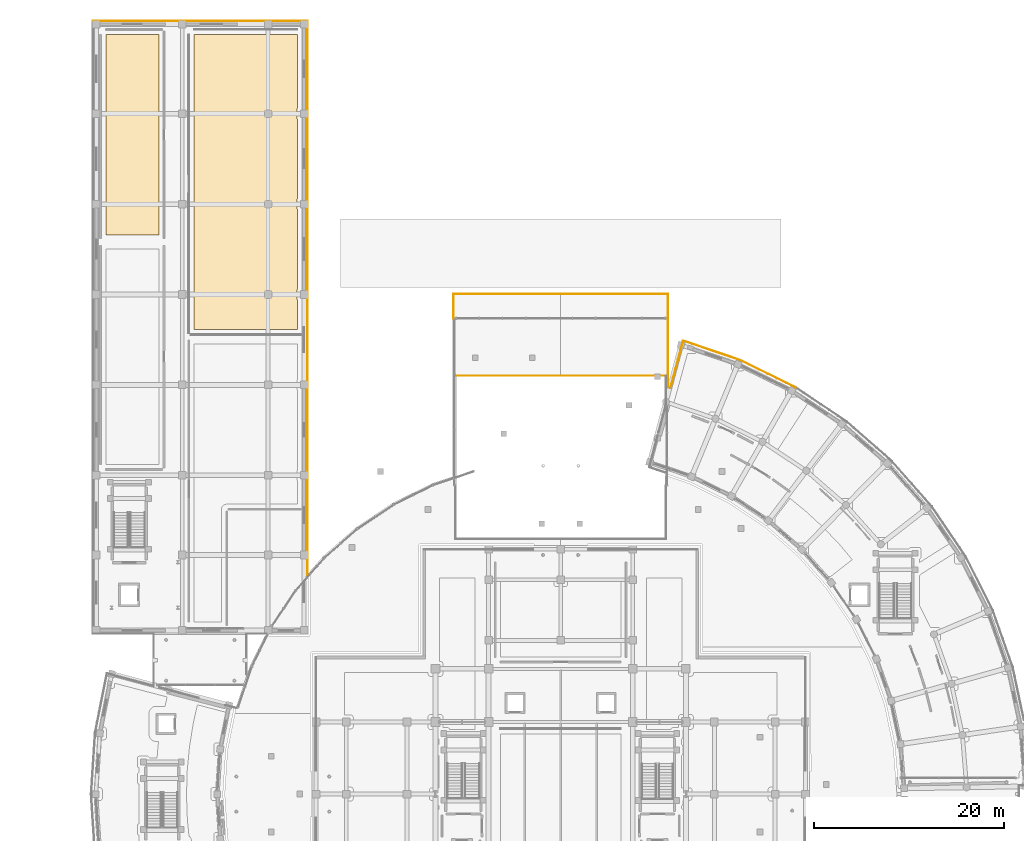
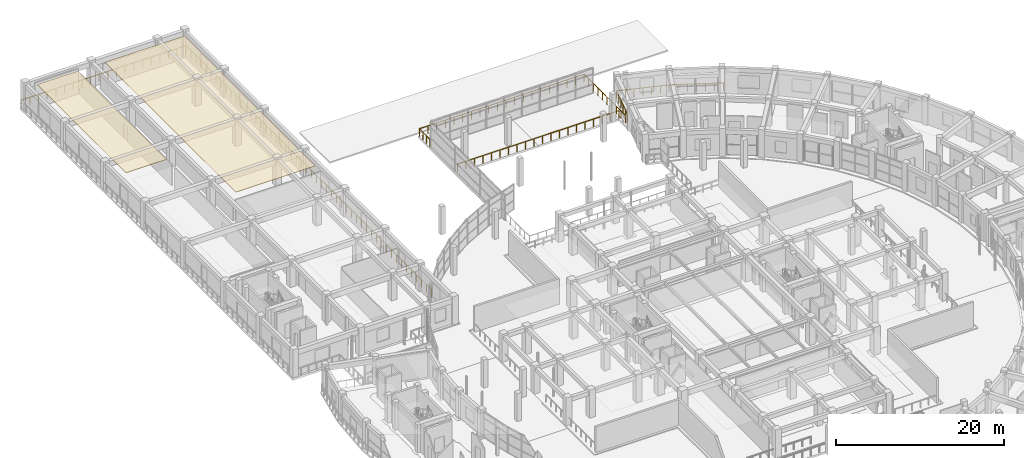
# One storey, part 87 of 87: 9 railings, 2 coverings.
"""IFC4 building model written with IfcOpenShell, lengths in metres."""

from ifc_helpers import new_model, si_unit, direction, frame, origin, origin_2d, place, context, subcontext, project, spatial, polyline, rectangle, outline, extrude, material, layer, layer_set, type_object, element, save


model = new_model("IFC4")

# Units and contexts
model_context = context("Model", 3, precision=1e-05, world=origin(), true_north=direction((0.0, 1.0)))
body_context = subcontext(model_context, "Body", "Model", "MODEL_VIEW")
ifc_project = project(units=[si_unit("LENGTHUNIT", "METRE"), si_unit("AREAUNIT", "SQUARE_METRE"), si_unit("VOLUMEUNIT", "CUBIC_METRE"), si_unit("PLANEANGLEUNIT", "RADIAN"), si_unit("MASSUNIT", "GRAM", prefix="KILO")], contexts=[model_context])

# Site, building, storey
site_placement = place(None, origin())
site = spatial("IfcSite", under=ifc_project, at=site_placement, CompositionType="ELEMENT")
building_placement = place(site_placement, origin())
building = spatial("IfcBuilding", under=site, at=building_placement, Name="Saryqyr Civic Hall", CompositionType="ELEMENT")
storey_placement = place(building_placement, frame((0.0, 0.0, 5.10009765625)))
storey = spatial("IfcBuildingStorey", under=building, at=storey_placement, Name="L01", CompositionType="ELEMENT", Elevation=5.10009765625)

# Coverings
ifc_material_1 = material(Name="Mineral-fibre acoustic ceiling tile", Category="acoustic_tile")
ifc_layer_1 = layer(ifc_material_1, 0.06005859375, Name="Mineral-fibre acoustic ceiling tile")
ifc_layer_set_1 = layer_set([ifc_layer_1], Name="Mineral-fibre acoustic ceiling tile")
covering_type = type_object("IfcCoveringType", Name="INT-COV-CEIL-60", PredefinedType="CEILING", material=ifc_layer_set_1)
covering_1_placement = place(storey_placement, frame((0.0, 0.0, 3.68994140625)))
element("IfcCovering", 1, at=covering_1_placement, inside=storey, type_object=covering_type, Name="Acoustic ceiling Periodicals & Statutory Gazette Room", PredefinedType="CEILING", context=body_context, shape_type="SweptSolid", body=[
    extrude(outline(polyline([(29.24951171875, 156.31787109375), (29.239013671875, 156.295654296875), (29.230712890625, 156.272705078125), (29.224853515625, 156.248779296875), (29.22119140625, 156.224609375), (29.219970703125, 156.199951171875), (29.219970703125, 155.239990234375), (29.22119140625, 155.215576171875), (29.224853515625, 155.191162109375), (29.230712890625, 155.16748046875), (29.239013671875, 155.144287109375), (29.24951171875, 155.122314453125), (29.25, 155.121337890625), (29.25, 146.788818359375), (29.24951171875, 146.787841796875), (29.239013671875, 146.765625), (29.230712890625, 146.74267578125), (29.224853515625, 146.71875), (29.22119140625, 146.694580078125), (29.219970703125, 146.669921875), (29.219970703125, 145.7099609375), (29.22119140625, 145.685546875), (29.224853515625, 145.6611328125), (29.230712890625, 145.637451171875), (29.239013671875, 145.6142578125), (29.24951171875, 145.59228515625), (29.25, 145.59130859375), (29.25, 137.2587890625), (29.24951171875, 137.2578125), (29.239013671875, 137.235595703125), (29.230712890625, 137.212646484375), (29.224853515625, 137.188720703125), (29.22119140625, 137.16455078125), (29.219970703125, 137.139892578125), (29.219970703125, 136.179931640625), (29.22119140625, 136.155517578125), (29.224853515625, 136.131103515625), (29.230712890625, 136.107421875), (29.239013671875, 136.084228515625), (29.24951171875, 136.062255859375), (29.25, 136.061279296875), (29.25, 132.949951171875), (18.35009765625, 132.949951171875), (18.35009765625, 164.050048828125), (29.25, 164.050048828125), (29.25, 156.318603515625), (29.24951171875, 156.31787109375)])), origin(), (0.0, 0.0, 1.0), 0.06005859375),
])
covering_2_placement = place(storey_placement, frame((0.0, 0.0, 3.68994140625)))
element("IfcCovering", 2, at=covering_2_placement, inside=storey, type_object=covering_type, Name="Acoustic ceiling Researchers' Carrels & Accessible MGN WC L01", PredefinedType="CEILING", context=body_context, shape_type="SweptSolid", body=[
    extrude(outline(polyline([(9.050048828125, 142.949951171875), (9.050048828125, 164.050048828125), (14.6298828125, 164.050048828125), (14.6298828125, 142.949951171875), (9.050048828125, 142.949951171875)])), origin(), (0.0, 0.0, 1.0), 0.06005859375),
])

# Railings
ifc_material_2 = material(Name="Warm brushed brass and laminated glass", Category="glass")
ifc_layer_2 = layer(ifc_material_2, 0.06005859375, Name="Warm brushed brass and laminated glass")
ifc_layer_set_2 = layer_set([ifc_layer_2], Name="Warm brushed brass and laminated glass")
railing_type = type_object("IfcRailingType", Name="INT-RLG-BAL-1100", PredefinedType="BALUSTRADE", material=ifc_layer_set_2)
railing_1_placement = place(storey_placement, frame((7.699951171875, 165.5, 0.0)))
element("IfcRailing", 3, at=railing_1_placement, inside=storey, type_object=railing_type, Name="Interior deck safety balustrade L01-022", PredefinedType="BALUSTRADE", context=body_context, shape_type="SweptSolid", body=[
    extrude(rectangle(XDim=0.048095703125, YDim=0.048095703125, at=origin_2d()), frame((0.0, 0.0, 1.09619140625), z_axis=(1.0, 0.0, 0.0), x_axis=(0.0, 1.0, 0.0)), (0.0, 0.0, 1.0), 22.60009765625),
    extrude(rectangle(XDim=0.0419921875, YDim=0.0419921875, at=origin_2d()), origin(), (0.0, 0.0, 1.0), 1.072021484375),
    extrude(rectangle(XDim=0.0419921875, YDim=0.0419921875, at=origin_2d()), frame((1.189453125, 0.0, 0.0)), (0.0, 0.0, 1.0), 1.072021484375),
    extrude(rectangle(XDim=0.0419921875, YDim=0.0419921875, at=origin_2d()), frame((2.37890625, 0.0, 0.0)), (0.0, 0.0, 1.0), 1.072021484375),
    extrude(rectangle(XDim=0.0419921875, YDim=0.0419921875, at=origin_2d()), frame((3.568359375, 0.0, 0.0)), (0.0, 0.0, 1.0), 1.072021484375),
    extrude(rectangle(XDim=0.0419921875, YDim=0.0419921875, at=origin_2d()), frame((4.7578125, 0.0, 0.0)), (0.0, 0.0, 1.0), 1.072021484375),
    extrude(rectangle(XDim=0.0419921875, YDim=0.0419921875, at=origin_2d()), frame((5.947509765625, 0.0, 0.0)), (0.0, 0.0, 1.0), 1.072021484375),
    extrude(rectangle(XDim=0.0419921875, YDim=0.0419921875, at=origin_2d()), frame((7.136962890625, 0.0, 0.0)), (0.0, 0.0, 1.0), 1.072021484375),
    extrude(rectangle(XDim=0.0419921875, YDim=0.0419921875, at=origin_2d()), frame((8.326416015625, 0.0, 0.0)), (0.0, 0.0, 1.0), 1.072021484375),
    extrude(rectangle(XDim=0.0419921875, YDim=0.0419921875, at=origin_2d()), frame((9.515869140625, 0.0, 0.0)), (0.0, 0.0, 1.0), 1.072021484375),
    extrude(rectangle(XDim=0.0419921875, YDim=0.0419921875, at=origin_2d()), frame((10.705322265625, 0.0, 0.0)), (0.0, 0.0, 1.0), 1.072021484375),
    extrude(rectangle(XDim=0.0419921875, YDim=0.0419921875, at=origin_2d()), frame((11.894775390625, 0.0, 0.0)), (0.0, 0.0, 1.0), 1.072021484375),
    extrude(rectangle(XDim=0.0419921875, YDim=0.0419921875, at=origin_2d()), frame((13.084228515625, 0.0, 0.0)), (0.0, 0.0, 1.0), 1.072021484375),
    extrude(rectangle(XDim=0.0419921875, YDim=0.0419921875, at=origin_2d()), frame((14.273681640625, 0.0, 0.0)), (0.0, 0.0, 1.0), 1.072021484375),
    extrude(rectangle(XDim=0.0419921875, YDim=0.0419921875, at=origin_2d()), frame((15.463134765625, 0.0, 0.0)), (0.0, 0.0, 1.0), 1.072021484375),
    extrude(rectangle(XDim=0.0419921875, YDim=0.0419921875, at=origin_2d()), frame((16.652587890625, 0.0, 0.0)), (0.0, 0.0, 1.0), 1.072021484375),
    extrude(rectangle(XDim=0.0419921875, YDim=0.0419921875, at=origin_2d()), frame((17.84228515625, 0.0, 0.0)), (0.0, 0.0, 1.0), 1.072021484375),
    extrude(rectangle(XDim=0.0419921875, YDim=0.0419921875, at=origin_2d()), frame((19.03173828125, 0.0, 0.0)), (0.0, 0.0, 1.0), 1.072021484375),
    extrude(rectangle(XDim=0.0419921875, YDim=0.0419921875, at=origin_2d()), frame((20.22119140625, 0.0, 0.0)), (0.0, 0.0, 1.0), 1.072021484375),
    extrude(rectangle(XDim=0.0419921875, YDim=0.0419921875, at=origin_2d()), frame((21.41064453125, 0.0, 0.0)), (0.0, 0.0, 1.0), 1.072021484375),
    extrude(rectangle(XDim=0.0419921875, YDim=0.0419921875, at=origin_2d()), frame((22.60009765625, 0.0, 0.0)), (0.0, 0.0, 1.0), 1.072021484375),
])
railing_2_placement = place(storey_placement, frame((30.300048828125, 165.5, 0.0)))
element("IfcRailing", 4, at=railing_2_placement, inside=storey, type_object=railing_type, Name="Interior deck safety balustrade L01-023", PredefinedType="BALUSTRADE", context=body_context, shape_type="SweptSolid", body=[
    extrude(rectangle(XDim=0.048095703125, YDim=0.048095703125, at=origin_2d()), frame((0.0, 0.0, 1.09619140625), z_axis=(0.0, -1.0, 0.0), x_axis=(1.0, 0.0, 0.0)), (0.0, 0.0, 1.0), 58.400634765625),
    extrude(rectangle(XDim=0.0419921875, YDim=0.0419921875, at=origin_2d()), origin(), (0.0, 0.0, 1.0), 1.072021484375),
    extrude(rectangle(XDim=0.0419921875, YDim=0.0419921875, at=origin_2d()), frame((0.0, -1.19189453125, 0.0)), (0.0, 0.0, 1.0), 1.072021484375),
    extrude(rectangle(XDim=0.0419921875, YDim=0.0419921875, at=origin_2d()), frame((0.0, -2.3837890625, 0.0)), (0.0, 0.0, 1.0), 1.072021484375),
    extrude(rectangle(XDim=0.0419921875, YDim=0.0419921875, at=origin_2d()), frame((0.0, -3.575439453125, 0.0)), (0.0, 0.0, 1.0), 1.072021484375),
    extrude(rectangle(XDim=0.0419921875, YDim=0.0419921875, at=origin_2d()), frame((0.0, -4.767333984375, 0.0)), (0.0, 0.0, 1.0), 1.072021484375),
    extrude(rectangle(XDim=0.0419921875, YDim=0.0419921875, at=origin_2d()), frame((0.0, -5.959228515625, 0.0)), (0.0, 0.0, 1.0), 1.072021484375),
    extrude(rectangle(XDim=0.0419921875, YDim=0.0419921875, at=origin_2d()), frame((0.0, -7.151123046875, 0.0)), (0.0, 0.0, 1.0), 1.072021484375),
    extrude(rectangle(XDim=0.0419921875, YDim=0.0419921875, at=origin_2d()), frame((0.0, -8.343017578125, 0.0)), (0.0, 0.0, 1.0), 1.072021484375),
    extrude(rectangle(XDim=0.0419921875, YDim=0.0419921875, at=origin_2d()), frame((0.0, -9.534912109375, 0.0)), (0.0, 0.0, 1.0), 1.072021484375),
    extrude(rectangle(XDim=0.0419921875, YDim=0.0419921875, at=origin_2d()), frame((0.0, -10.7265625, 0.0)), (0.0, 0.0, 1.0), 1.072021484375),
    extrude(rectangle(XDim=0.0419921875, YDim=0.0419921875, at=origin_2d()), frame((0.0, -11.91845703125, 0.0)), (0.0, 0.0, 1.0), 1.072021484375),
    extrude(rectangle(XDim=0.0419921875, YDim=0.0419921875, at=origin_2d()), frame((0.0, -13.1103515625, 0.0)), (0.0, 0.0, 1.0), 1.072021484375),
    extrude(rectangle(XDim=0.0419921875, YDim=0.0419921875, at=origin_2d()), frame((0.0, -14.30224609375, 0.0)), (0.0, 0.0, 1.0), 1.072021484375),
    extrude(rectangle(XDim=0.0419921875, YDim=0.0419921875, at=origin_2d()), frame((0.0, -15.494140625, 0.0)), (0.0, 0.0, 1.0), 1.072021484375),
    extrude(rectangle(XDim=0.0419921875, YDim=0.0419921875, at=origin_2d()), frame((0.0, -16.685791015625, 0.0)), (0.0, 0.0, 1.0), 1.072021484375),
    extrude(rectangle(XDim=0.0419921875, YDim=0.0419921875, at=origin_2d()), frame((0.0, -17.877685546875, 0.0)), (0.0, 0.0, 1.0), 1.072021484375),
    extrude(rectangle(XDim=0.0419921875, YDim=0.0419921875, at=origin_2d()), frame((0.0, -19.069580078125, 0.0)), (0.0, 0.0, 1.0), 1.072021484375),
    extrude(rectangle(XDim=0.0419921875, YDim=0.0419921875, at=origin_2d()), frame((0.0, -20.261474609375, 0.0)), (0.0, 0.0, 1.0), 1.072021484375),
    extrude(rectangle(XDim=0.0419921875, YDim=0.0419921875, at=origin_2d()), frame((0.0, -21.453369140625, 0.0)), (0.0, 0.0, 1.0), 1.072021484375),
    extrude(rectangle(XDim=0.0419921875, YDim=0.0419921875, at=origin_2d()), frame((0.0, -22.645263671875, 0.0)), (0.0, 0.0, 1.0), 1.072021484375),
    extrude(rectangle(XDim=0.0419921875, YDim=0.0419921875, at=origin_2d()), frame((0.0, -23.8369140625, 0.0)), (0.0, 0.0, 1.0), 1.072021484375),
    extrude(rectangle(XDim=0.0419921875, YDim=0.0419921875, at=origin_2d()), frame((0.0, -25.02880859375, 0.0)), (0.0, 0.0, 1.0), 1.072021484375),
    extrude(rectangle(XDim=0.0419921875, YDim=0.0419921875, at=origin_2d()), frame((0.0, -26.220703125, 0.0)), (0.0, 0.0, 1.0), 1.072021484375),
    extrude(rectangle(XDim=0.0419921875, YDim=0.0419921875, at=origin_2d()), frame((0.0, -27.41259765625, 0.0)), (0.0, 0.0, 1.0), 1.072021484375),
    extrude(rectangle(XDim=0.0419921875, YDim=0.0419921875, at=origin_2d()), frame((0.0, -28.6044921875, 0.0)), (0.0, 0.0, 1.0), 1.072021484375),
    extrude(rectangle(XDim=0.0419921875, YDim=0.0419921875, at=origin_2d()), frame((0.0, -29.796142578125, 0.0)), (0.0, 0.0, 1.0), 1.072021484375),
    extrude(rectangle(XDim=0.0419921875, YDim=0.0419921875, at=origin_2d()), frame((0.0, -30.988037109375, 0.0)), (0.0, 0.0, 1.0), 1.072021484375),
    extrude(rectangle(XDim=0.0419921875, YDim=0.0419921875, at=origin_2d()), frame((0.0, -32.179931640625, 0.0)), (0.0, 0.0, 1.0), 1.072021484375),
    extrude(rectangle(XDim=0.0419921875, YDim=0.0419921875, at=origin_2d()), frame((0.0, -33.371826171875, 0.0)), (0.0, 0.0, 1.0), 1.072021484375),
    extrude(rectangle(XDim=0.0419921875, YDim=0.0419921875, at=origin_2d()), frame((0.0, -34.563720703125, 0.0)), (0.0, 0.0, 1.0), 1.072021484375),
    extrude(rectangle(XDim=0.0419921875, YDim=0.0419921875, at=origin_2d()), frame((0.0, -35.75537109375, 0.0)), (0.0, 0.0, 1.0), 1.072021484375),
    extrude(rectangle(XDim=0.0419921875, YDim=0.0419921875, at=origin_2d()), frame((0.0, -36.947265625, 0.0)), (0.0, 0.0, 1.0), 1.072021484375),
    extrude(rectangle(XDim=0.0419921875, YDim=0.0419921875, at=origin_2d()), frame((0.0, -38.13916015625, 0.0)), (0.0, 0.0, 1.0), 1.072021484375),
    extrude(rectangle(XDim=0.0419921875, YDim=0.0419921875, at=origin_2d()), frame((0.0, -39.3310546875, 0.0)), (0.0, 0.0, 1.0), 1.072021484375),
    extrude(rectangle(XDim=0.0419921875, YDim=0.0419921875, at=origin_2d()), frame((0.0, -40.52294921875, 0.0)), (0.0, 0.0, 1.0), 1.072021484375),
    extrude(rectangle(XDim=0.0419921875, YDim=0.0419921875, at=origin_2d()), frame((0.0, -41.71484375, 0.0)), (0.0, 0.0, 1.0), 1.072021484375),
    extrude(rectangle(XDim=0.0419921875, YDim=0.0419921875, at=origin_2d()), frame((0.0, -42.906494140625, 0.0)), (0.0, 0.0, 1.0), 1.072021484375),
    extrude(rectangle(XDim=0.0419921875, YDim=0.0419921875, at=origin_2d()), frame((0.0, -44.098388671875, 0.0)), (0.0, 0.0, 1.0), 1.072021484375),
    extrude(rectangle(XDim=0.0419921875, YDim=0.0419921875, at=origin_2d()), frame((0.0, -45.290283203125, 0.0)), (0.0, 0.0, 1.0), 1.072021484375),
    extrude(rectangle(XDim=0.0419921875, YDim=0.0419921875, at=origin_2d()), frame((0.0, -46.482177734375, 0.0)), (0.0, 0.0, 1.0), 1.072021484375),
    extrude(rectangle(XDim=0.0419921875, YDim=0.0419921875, at=origin_2d()), frame((0.0, -47.674072265625, 0.0)), (0.0, 0.0, 1.0), 1.072021484375),
    extrude(rectangle(XDim=0.0419921875, YDim=0.0419921875, at=origin_2d()), frame((0.0, -48.86572265625, 0.0)), (0.0, 0.0, 1.0), 1.072021484375),
    extrude(rectangle(XDim=0.0419921875, YDim=0.0419921875, at=origin_2d()), frame((0.0, -50.0576171875, 0.0)), (0.0, 0.0, 1.0), 1.072021484375),
    extrude(rectangle(XDim=0.0419921875, YDim=0.0419921875, at=origin_2d()), frame((0.0, -51.24951171875, 0.0)), (0.0, 0.0, 1.0), 1.072021484375),
    extrude(rectangle(XDim=0.0419921875, YDim=0.0419921875, at=origin_2d()), frame((0.0, -52.44140625, 0.0)), (0.0, 0.0, 1.0), 1.072021484375),
    extrude(rectangle(XDim=0.0419921875, YDim=0.0419921875, at=origin_2d()), frame((0.0, -53.63330078125, 0.0)), (0.0, 0.0, 1.0), 1.072021484375),
    extrude(rectangle(XDim=0.0419921875, YDim=0.0419921875, at=origin_2d()), frame((0.0, -54.8251953125, 0.0)), (0.0, 0.0, 1.0), 1.072021484375),
    extrude(rectangle(XDim=0.0419921875, YDim=0.0419921875, at=origin_2d()), frame((0.0, -56.016845703125, 0.0)), (0.0, 0.0, 1.0), 1.072021484375),
    extrude(rectangle(XDim=0.0419921875, YDim=0.0419921875, at=origin_2d()), frame((0.0, -57.208740234375, 0.0)), (0.0, 0.0, 1.0), 1.072021484375),
    extrude(rectangle(XDim=0.0419921875, YDim=0.0419921875, at=origin_2d()), frame((0.0, -58.400634765625, 0.0)), (0.0, 0.0, 1.0), 1.072021484375),
])
railing_3_placement = place(storey_placement, frame((45.699951171875, 134.14990234375, 0.0)))
element("IfcRailing", 5, at=railing_3_placement, inside=storey, type_object=railing_type, Name="Interior deck safety balustrade L01-024", PredefinedType="BALUSTRADE", context=body_context, shape_type="SweptSolid", body=[
    extrude(rectangle(XDim=0.048095703125, YDim=0.048095703125, at=origin_2d()), frame((0.0, 0.0, 1.09619140625), z_axis=(0.0, 1.0, 0.0), x_axis=(-1.0, 0.0, 0.0)), (0.0, 0.0, 1.0), 2.550048828125),
    extrude(rectangle(XDim=0.0419921875, YDim=0.0419921875, at=origin_2d()), origin(), (0.0, 0.0, 1.0), 1.072021484375),
    extrude(rectangle(XDim=0.0419921875, YDim=0.0419921875, at=origin_2d()), frame((0.0, 0.85009765625, 0.0)), (0.0, 0.0, 1.0), 1.072021484375),
    extrude(rectangle(XDim=0.0419921875, YDim=0.0419921875, at=origin_2d()), frame((0.0, 1.699951171875, 0.0)), (0.0, 0.0, 1.0), 1.072021484375),
    extrude(rectangle(XDim=0.0419921875, YDim=0.0419921875, at=origin_2d()), frame((0.0, 2.550048828125, 0.0)), (0.0, 0.0, 1.0), 1.072021484375),
])
railing_4_placement = place(storey_placement, frame((45.699951171875, 136.699951171875, 0.0)))
element("IfcRailing", 6, at=railing_4_placement, inside=storey, type_object=railing_type, Name="Interior deck safety balustrade L01-025", PredefinedType="BALUSTRADE", context=body_context, shape_type="SweptSolid", body=[
    extrude(rectangle(XDim=0.048095703125, YDim=0.048095703125, at=origin_2d()), frame((0.0, 0.0, 1.09619140625), z_axis=(1.0, 0.0, 0.0), x_axis=(0.0, 1.0, 0.0)), (0.0, 0.0, 1.0), 22.60009765625),
    extrude(rectangle(XDim=0.0419921875, YDim=0.0419921875, at=origin_2d()), origin(), (0.0, 0.0, 1.0), 1.072021484375),
    extrude(rectangle(XDim=0.0419921875, YDim=0.0419921875, at=origin_2d()), frame((1.189453125, 0.0, 0.0)), (0.0, 0.0, 1.0), 1.072021484375),
    extrude(rectangle(XDim=0.0419921875, YDim=0.0419921875, at=origin_2d()), frame((2.37890625, 0.0, 0.0)), (0.0, 0.0, 1.0), 1.072021484375),
    extrude(rectangle(XDim=0.0419921875, YDim=0.0419921875, at=origin_2d()), frame((3.568359375, 0.0, 0.0)), (0.0, 0.0, 1.0), 1.072021484375),
    extrude(rectangle(XDim=0.0419921875, YDim=0.0419921875, at=origin_2d()), frame((4.7578125, 0.0, 0.0)), (0.0, 0.0, 1.0), 1.072021484375),
    extrude(rectangle(XDim=0.0419921875, YDim=0.0419921875, at=origin_2d()), frame((5.947509765625, 0.0, 0.0)), (0.0, 0.0, 1.0), 1.072021484375),
    extrude(rectangle(XDim=0.0419921875, YDim=0.0419921875, at=origin_2d()), frame((7.136962890625, 0.0, 0.0)), (0.0, 0.0, 1.0), 1.072021484375),
    extrude(rectangle(XDim=0.0419921875, YDim=0.0419921875, at=origin_2d()), frame((8.326416015625, 0.0, 0.0)), (0.0, 0.0, 1.0), 1.072021484375),
    extrude(rectangle(XDim=0.0419921875, YDim=0.0419921875, at=origin_2d()), frame((9.515869140625, 0.0, 0.0)), (0.0, 0.0, 1.0), 1.072021484375),
    extrude(rectangle(XDim=0.0419921875, YDim=0.0419921875, at=origin_2d()), frame((10.705322265625, 0.0, 0.0)), (0.0, 0.0, 1.0), 1.072021484375),
    extrude(rectangle(XDim=0.0419921875, YDim=0.0419921875, at=origin_2d()), frame((11.894775390625, 0.0, 0.0)), (0.0, 0.0, 1.0), 1.072021484375),
    extrude(rectangle(XDim=0.0419921875, YDim=0.0419921875, at=origin_2d()), frame((13.084228515625, 0.0, 0.0)), (0.0, 0.0, 1.0), 1.072021484375),
    extrude(rectangle(XDim=0.0419921875, YDim=0.0419921875, at=origin_2d()), frame((14.273681640625, 0.0, 0.0)), (0.0, 0.0, 1.0), 1.072021484375),
    extrude(rectangle(XDim=0.0419921875, YDim=0.0419921875, at=origin_2d()), frame((15.463134765625, 0.0, 0.0)), (0.0, 0.0, 1.0), 1.072021484375),
    extrude(rectangle(XDim=0.0419921875, YDim=0.0419921875, at=origin_2d()), frame((16.652587890625, 0.0, 0.0)), (0.0, 0.0, 1.0), 1.072021484375),
    extrude(rectangle(XDim=0.0419921875, YDim=0.0419921875, at=origin_2d()), frame((17.84228515625, 0.0, 0.0)), (0.0, 0.0, 1.0), 1.072021484375),
    extrude(rectangle(XDim=0.0419921875, YDim=0.0419921875, at=origin_2d()), frame((19.03173828125, 0.0, 0.0)), (0.0, 0.0, 1.0), 1.072021484375),
    extrude(rectangle(XDim=0.0419921875, YDim=0.0419921875, at=origin_2d()), frame((20.22119140625, 0.0, 0.0)), (0.0, 0.0, 1.0), 1.072021484375),
    extrude(rectangle(XDim=0.0419921875, YDim=0.0419921875, at=origin_2d()), frame((21.41064453125, 0.0, 0.0)), (0.0, 0.0, 1.0), 1.072021484375),
    extrude(rectangle(XDim=0.0419921875, YDim=0.0419921875, at=origin_2d()), frame((22.60009765625, 0.0, 0.0)), (0.0, 0.0, 1.0), 1.072021484375),
])
railing_5_placement = place(storey_placement, frame((68.300048828125, 136.699951171875, 0.0)))
element("IfcRailing", 7, at=railing_5_placement, inside=storey, type_object=railing_type, Name="Interior deck safety balustrade L01-026", PredefinedType="BALUSTRADE", context=body_context, shape_type="SweptSolid", body=[
    extrude(rectangle(XDim=0.048095703125, YDim=0.048095703125, at=origin_2d()), frame((0.0, 0.0, 1.09619140625), z_axis=(0.0, -1.0, 0.0), x_axis=(1.0, 0.0, 0.0)), (0.0, 0.0, 1.0), 9.85302734375),
    extrude(rectangle(XDim=0.0419921875, YDim=0.0419921875, at=origin_2d()), origin(), (0.0, 0.0, 1.0), 1.072021484375),
    extrude(rectangle(XDim=0.0419921875, YDim=0.0419921875, at=origin_2d()), frame((0.0, -1.0947265625, 0.0)), (0.0, 0.0, 1.0), 1.072021484375),
    extrude(rectangle(XDim=0.0419921875, YDim=0.0419921875, at=origin_2d()), frame((0.0, -2.189453125, 0.0)), (0.0, 0.0, 1.0), 1.072021484375),
    extrude(rectangle(XDim=0.0419921875, YDim=0.0419921875, at=origin_2d()), frame((0.0, -3.284423828125, 0.0)), (0.0, 0.0, 1.0), 1.072021484375),
    extrude(rectangle(XDim=0.0419921875, YDim=0.0419921875, at=origin_2d()), frame((0.0, -4.379150390625, 0.0)), (0.0, 0.0, 1.0), 1.072021484375),
    extrude(rectangle(XDim=0.0419921875, YDim=0.0419921875, at=origin_2d()), frame((0.0, -5.473876953125, 0.0)), (0.0, 0.0, 1.0), 1.072021484375),
    extrude(rectangle(XDim=0.0419921875, YDim=0.0419921875, at=origin_2d()), frame((0.0, -6.568603515625, 0.0)), (0.0, 0.0, 1.0), 1.072021484375),
    extrude(rectangle(XDim=0.0419921875, YDim=0.0419921875, at=origin_2d()), frame((0.0, -7.66357421875, 0.0)), (0.0, 0.0, 1.0), 1.072021484375),
    extrude(rectangle(XDim=0.0419921875, YDim=0.0419921875, at=origin_2d()), frame((0.0, -8.75830078125, 0.0)), (0.0, 0.0, 1.0), 1.072021484375),
    extrude(rectangle(XDim=0.0419921875, YDim=0.0419921875, at=origin_2d()), frame((0.0, -9.85302734375, 0.0)), (0.0, 0.0, 1.0), 1.072021484375),
])
railing_6_placement = place(storey_placement, frame((68.57470703125, 126.810791015625, 0.0)))
element("IfcRailing", 8, at=railing_6_placement, inside=storey, type_object=railing_type, Name="Interior deck safety balustrade L01-028", PredefinedType="BALUSTRADE", context=body_context, shape_type="SweptSolid", body=[
    extrude(rectangle(XDim=0.048095703125, YDim=0.048095703125, at=origin_2d()), frame((0.0, 0.0, 1.09619140625), z_axis=(0.258823044347, 0.965924754686, 0.0), x_axis=(-0.965924754686, 0.258823044347, 0.0)), (0.0, 0.0, 1.0), 5.1455078125),
    extrude(rectangle(XDim=0.0419921875, YDim=0.0419921875, at=origin_2d()), origin(), (0.0, 0.0, 1.0), 1.072021484375),
    extrude(rectangle(XDim=0.0419921875, YDim=0.0419921875, at=origin_2d()), frame((0.266357421875, 0.994140625, 0.0)), (0.0, 0.0, 1.0), 1.072021484375),
    extrude(rectangle(XDim=0.0419921875, YDim=0.0419921875, at=origin_2d()), frame((0.53271484375, 1.988037109375, 0.0)), (0.0, 0.0, 1.0), 1.072021484375),
    extrude(rectangle(XDim=0.0419921875, YDim=0.0419921875, at=origin_2d()), frame((0.799072265625, 2.982177734375, 0.0)), (0.0, 0.0, 1.0), 1.072021484375),
    extrude(rectangle(XDim=0.0419921875, YDim=0.0419921875, at=origin_2d()), frame((1.0654296875, 3.97607421875, 0.0)), (0.0, 0.0, 1.0), 1.072021484375),
    extrude(rectangle(XDim=0.0419921875, YDim=0.0419921875, at=origin_2d()), frame((1.331787109375, 4.97021484375, 0.0)), (0.0, 0.0, 1.0), 1.072021484375),
])
railing_7_placement = place(storey_placement, frame((69.906494140625, 131.781005859375, 0.0)))
element("IfcRailing", 9, at=railing_7_placement, inside=storey, type_object=railing_type, Name="Interior deck safety balustrade L01-029", PredefinedType="BALUSTRADE", context=body_context, shape_type="SweptSolid", body=[
    extrude(rectangle(XDim=0.048095703125, YDim=0.048095703125, at=origin_2d()), frame((0.0, 0.0, 1.09619140625), z_axis=(0.946914589927, -0.321485239761, 0.0), x_axis=(0.321485239761, 0.946914589927, 0.0)), (0.0, 0.0, 1.0), 6.37451171875),
    extrude(rectangle(XDim=0.0419921875, YDim=0.0419921875, at=origin_2d()), origin(), (0.0, 0.0, 1.0), 1.072021484375),
    extrude(rectangle(XDim=0.0419921875, YDim=0.0419921875, at=origin_2d()), frame((1.006103515625, -0.341552734375, 0.0)), (0.0, 0.0, 1.0), 1.072021484375),
    extrude(rectangle(XDim=0.0419921875, YDim=0.0419921875, at=origin_2d()), frame((2.011962890625, -0.68310546875, 0.0)), (0.0, 0.0, 1.0), 1.072021484375),
    extrude(rectangle(XDim=0.0419921875, YDim=0.0419921875, at=origin_2d()), frame((3.01806640625, -1.024658203125, 0.0)), (0.0, 0.0, 1.0), 1.072021484375),
    extrude(rectangle(XDim=0.0419921875, YDim=0.0419921875, at=origin_2d()), frame((4.024169921875, -1.3662109375, 0.0)), (0.0, 0.0, 1.0), 1.072021484375),
    extrude(rectangle(XDim=0.0419921875, YDim=0.0419921875, at=origin_2d()), frame((5.030029296875, -1.707763671875, 0.0)), (0.0, 0.0, 1.0), 1.072021484375),
    extrude(rectangle(XDim=0.0419921875, YDim=0.0419921875, at=origin_2d()), frame((6.0361328125, -2.04931640625, 0.0)), (0.0, 0.0, 1.0), 1.072021484375),
])
railing_8_placement = place(storey_placement, frame((75.942626953125, 129.731689453125, 0.0)))
element("IfcRailing", 10, at=railing_8_placement, inside=storey, type_object=railing_type, Name="Interior deck safety balustrade L01-030", PredefinedType="BALUSTRADE", context=body_context, shape_type="SweptSolid", body=[
    extrude(rectangle(XDim=0.048095703125, YDim=0.048095703125, at=origin_2d()), frame((0.0, 0.0, 1.09619140625), z_axis=(0.89689443152, -0.442244704557, 0.0), x_axis=(0.442244704557, 0.89689443152, 0.0)), (0.0, 0.0, 1.0), 6.47509765625),
    extrude(rectangle(XDim=0.0419921875, YDim=0.0419921875, at=origin_2d()), origin(), (0.0, 0.0, 1.0), 1.072021484375),
    extrude(rectangle(XDim=0.0419921875, YDim=0.0419921875, at=origin_2d()), frame((0.9677734375, -0.477294921875, 0.0)), (0.0, 0.0, 1.0), 1.072021484375),
    extrude(rectangle(XDim=0.0419921875, YDim=0.0419921875, at=origin_2d()), frame((1.935791015625, -0.95458984375, 0.0)), (0.0, 0.0, 1.0), 1.072021484375),
    extrude(rectangle(XDim=0.0419921875, YDim=0.0419921875, at=origin_2d()), frame((2.90380859375, -1.431640625, 0.0)), (0.0, 0.0, 1.0), 1.072021484375),
    extrude(rectangle(XDim=0.0419921875, YDim=0.0419921875, at=origin_2d()), frame((3.87158203125, -1.908935546875, 0.0)), (0.0, 0.0, 1.0), 1.072021484375),
    extrude(rectangle(XDim=0.0419921875, YDim=0.0419921875, at=origin_2d()), frame((4.83935546875, -2.38623046875, 0.0)), (0.0, 0.0, 1.0), 1.072021484375),
    extrude(rectangle(XDim=0.0419921875, YDim=0.0419921875, at=origin_2d()), frame((5.807373046875, -2.863525390625, 0.0)), (0.0, 0.0, 1.0), 1.072021484375),
])
railing_9_placement = place(storey_placement, frame((68.10009765625, 128.10009765625, 0.0)))
element("IfcRailing", 11, at=railing_9_placement, inside=storey, type_object=railing_type, Name="Interior deck safety balustrade L01-065", PredefinedType="BALUSTRADE", context=body_context, shape_type="SweptSolid", body=[
    extrude(rectangle(XDim=0.048095703125, YDim=0.048095703125, at=origin_2d()), frame((0.0, 0.0, 1.09619140625), z_axis=(-1.0, 0.0, 0.0), x_axis=(0.0, -1.0, 0.0)), (0.0, 0.0, 1.0), 22.14013671875),
    extrude(rectangle(XDim=0.0419921875, YDim=0.0419921875, at=origin_2d()), origin(), (0.0, 0.0, 1.0), 1.072021484375),
    extrude(rectangle(XDim=0.0419921875, YDim=0.0419921875, at=origin_2d()), frame((-1.165283203125, 0.0, 0.0)), (0.0, 0.0, 1.0), 1.072021484375),
    extrude(rectangle(XDim=0.0419921875, YDim=0.0419921875, at=origin_2d()), frame((-2.33056640625, 0.0, 0.0)), (0.0, 0.0, 1.0), 1.072021484375),
    extrude(rectangle(XDim=0.0419921875, YDim=0.0419921875, at=origin_2d()), frame((-3.495849609375, 0.0, 0.0)), (0.0, 0.0, 1.0), 1.072021484375),
    extrude(rectangle(XDim=0.0419921875, YDim=0.0419921875, at=origin_2d()), frame((-4.6611328125, 0.0, 0.0)), (0.0, 0.0, 1.0), 1.072021484375),
    extrude(rectangle(XDim=0.0419921875, YDim=0.0419921875, at=origin_2d()), frame((-5.826416015625, 0.0, 0.0)), (0.0, 0.0, 1.0), 1.072021484375),
    extrude(rectangle(XDim=0.0419921875, YDim=0.0419921875, at=origin_2d()), frame((-6.99169921875, 0.0, 0.0)), (0.0, 0.0, 1.0), 1.072021484375),
    extrude(rectangle(XDim=0.0419921875, YDim=0.0419921875, at=origin_2d()), frame((-8.156982421875, 0.0, 0.0)), (0.0, 0.0, 1.0), 1.072021484375),
    extrude(rectangle(XDim=0.0419921875, YDim=0.0419921875, at=origin_2d()), frame((-9.322265625, 0.0, 0.0)), (0.0, 0.0, 1.0), 1.072021484375),
    extrude(rectangle(XDim=0.0419921875, YDim=0.0419921875, at=origin_2d()), frame((-10.487548828125, 0.0, 0.0)), (0.0, 0.0, 1.0), 1.072021484375),
    extrude(rectangle(XDim=0.0419921875, YDim=0.0419921875, at=origin_2d()), frame((-11.652587890625, 0.0, 0.0)), (0.0, 0.0, 1.0), 1.072021484375),
    extrude(rectangle(XDim=0.0419921875, YDim=0.0419921875, at=origin_2d()), frame((-12.81787109375, 0.0, 0.0)), (0.0, 0.0, 1.0), 1.072021484375),
    extrude(rectangle(XDim=0.0419921875, YDim=0.0419921875, at=origin_2d()), frame((-13.983154296875, 0.0, 0.0)), (0.0, 0.0, 1.0), 1.072021484375),
    extrude(rectangle(XDim=0.0419921875, YDim=0.0419921875, at=origin_2d()), frame((-15.1484375, 0.0, 0.0)), (0.0, 0.0, 1.0), 1.072021484375),
    extrude(rectangle(XDim=0.0419921875, YDim=0.0419921875, at=origin_2d()), frame((-16.313720703125, 0.0, 0.0)), (0.0, 0.0, 1.0), 1.072021484375),
    extrude(rectangle(XDim=0.0419921875, YDim=0.0419921875, at=origin_2d()), frame((-17.47900390625, 0.0, 0.0)), (0.0, 0.0, 1.0), 1.072021484375),
    extrude(rectangle(XDim=0.0419921875, YDim=0.0419921875, at=origin_2d()), frame((-18.644287109375, 0.0, 0.0)), (0.0, 0.0, 1.0), 1.072021484375),
    extrude(rectangle(XDim=0.0419921875, YDim=0.0419921875, at=origin_2d()), frame((-19.8095703125, 0.0, 0.0)), (0.0, 0.0, 1.0), 1.072021484375),
    extrude(rectangle(XDim=0.0419921875, YDim=0.0419921875, at=origin_2d()), frame((-20.974853515625, 0.0, 0.0)), (0.0, 0.0, 1.0), 1.072021484375),
    extrude(rectangle(XDim=0.0419921875, YDim=0.0419921875, at=origin_2d()), frame((-22.14013671875, 0.0, 0.0)), (0.0, 0.0, 1.0), 1.072021484375),
])

save(model, "model.ifc")
